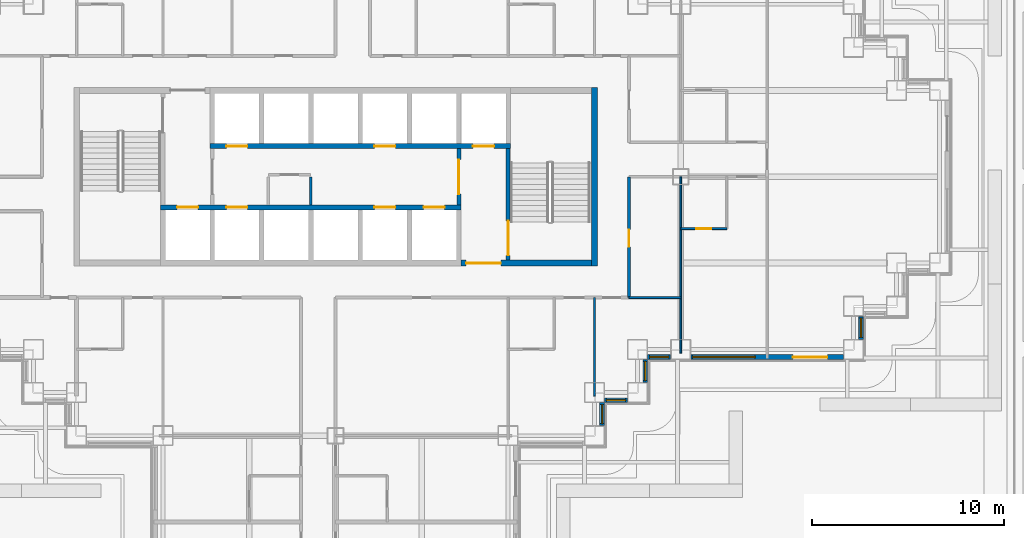
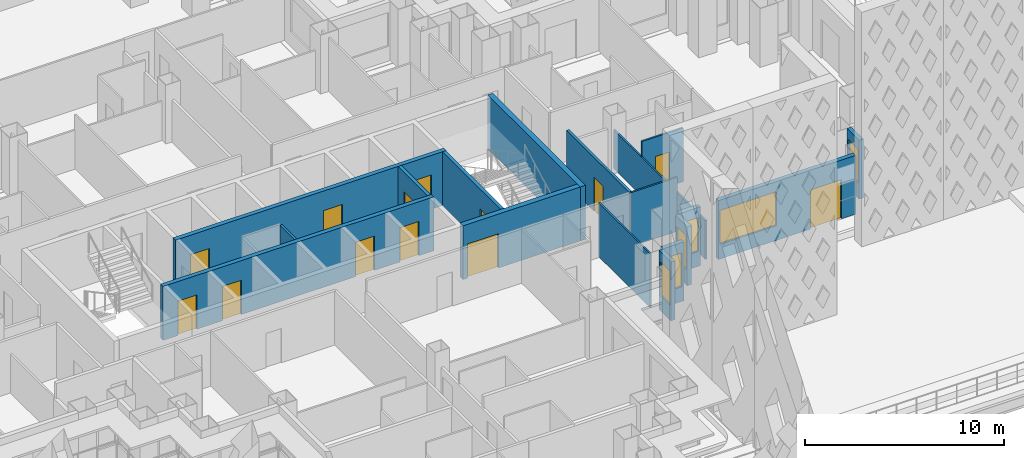
# One storey, part 6 of 26: 18 walls, 13 doors, 6 windows, 19 openings.
"""IFC4 building model written with IfcOpenShell, lengths in metres."""

from ifc_helpers import new_model, si_unit, direction, frame, frame_2d, origin, place, context, subcontext, project, spatial, rectangle, extrude, material, layer, layer_set, type_object, element, fill, save


model = new_model("IFC4")

# Units and contexts
model_context = context("Model", 3, precision=1e-05, world=origin(), true_north=direction((0.0, 1.0)))
body_context = subcontext(model_context, "Body", "Model", "MODEL_VIEW")
ifc_project = project(units=[si_unit("LENGTHUNIT", "METRE"), si_unit("AREAUNIT", "SQUARE_METRE"), si_unit("VOLUMEUNIT", "CUBIC_METRE"), si_unit("PLANEANGLEUNIT", "RADIAN"), si_unit("MASSUNIT", "GRAM", prefix="KILO")], contexts=[model_context])

# Site, building, storey
site_placement = place(None, origin())
site = spatial("IfcSite", under=ifc_project, at=site_placement, CompositionType="ELEMENT")
building_placement = place(site_placement, origin())
building = spatial("IfcBuilding", under=site, at=building_placement, Name="Caravel Reach Hotel and Residences", CompositionType="ELEMENT")
storey_placement = place(building_placement, frame((0.0, 0.0, 33.60009765625)))
storey = spatial("IfcBuildingStorey", under=building, at=storey_placement, Name="L06", CompositionType="ELEMENT", Elevation=33.60009765625)

# Wall, opening, door
ifc_material_1 = material(Name="Gypsum board on steel stud", Category="steel")
ifc_layer_1 = layer(ifc_material_1, 0.10009765625)
ifc_layer_set_1 = layer_set([ifc_layer_1], Name="Bathroom pod wall 100 mm")
wall_type_1 = type_object("IfcWallType", Name="Bathroom pod wall 100 mm", PredefinedType="PARTITIONING", material=ifc_layer_set_1)
wall_1_placement = place(storey_placement, frame((49.5, 24.300048828125, 0.0), z_axis=(0.0, 0.0, 1.0), x_axis=(1.0, 0.0, 0.0)))
wall_1 = element("IfcWall", 1, at=wall_1_placement, inside=storey, type_object=wall_type_1, Name="L06 wall w085", PredefinedType="PARTITIONING", context=body_context, shape_type="SweptSolid", body=[
    extrude(rectangle(XDim=2.39990234375, YDim=0.10009765625, at=frame_2d((1.199951171875, 0.0))), origin(), (0.0, 0.0, 1.0), 3.2998046875),
])
opening_1_placement = place(wall_1_placement, frame((0.800048828125, 0.0, 0.0)))
opening_1 = element("IfcOpeningElement", 2, at=opening_1_placement, cuts=wall_1, Name="Opening D06-022", PredefinedType="OPENING", context=body_context, shape_type="SweptSolid", body=[
    extrude(rectangle(XDim=0.800048828125, YDim=2.10009765625, at=frame_2d((0.39990234375, 1.050048828125))), frame((0.0, 0.06005859375, 0.0), z_axis=(0.0, -1.0, 0.0), x_axis=(1.0, 0.0, 0.0)), (0.0, 0.0, 1.0), 0.1201171875),
])
ifc_material_2 = material(Name="Timber and steel door leaf", Category="steel")
door_type_1 = type_object("IfcDoorType", Name="Bathroom door 800 x 2100", OperationType="SINGLE_SWING_LEFT", PredefinedType="DOOR", material=ifc_material_2)
door_1_placement = place(opening_1_placement, origin())
door_1 = element("IfcDoor", 3, at=door_1_placement, inside=storey, type_object=door_type_1, Name="door D06-022", OperationType="SINGLE_SWING_LEFT", OverallHeight=2.10009765625, OverallWidth=0.800048828125, PredefinedType="DOOR", context=body_context, shape_type="SweptSolid", body=[
    extrude(rectangle(XDim=0.800048828125, YDim=2.10009765625, at=frame_2d((0.39990234375, 1.050048828125))), frame((0.0, 0.02490234375, 0.0), z_axis=(0.0, -1.0, 0.0), x_axis=(1.0, 0.0, 0.0)), (0.0, 0.0, 1.0), 0.050048828125),
])
fill(opening_1, door_1)

ifc_material_3 = material(Name="Concrete C60", Category="concrete")
ifc_layer_2 = layer(ifc_material_3, 0.300048828125)
ifc_layer_set_2 = layer_set([ifc_layer_2], Name="Core wall 300 mm EI 120")
wall_type_2 = type_object("IfcWallType", Name="Core wall 300 mm EI 120", PredefinedType="SHEAR", material=ifc_layer_set_2)
wall_2_placement = place(storey_placement, frame((38.053466796875, 22.5, 0.0), z_axis=(0.0, 0.0, 1.0), x_axis=(1.0, 0.0, 0.0)))
wall_2 = element("IfcWall", 4, at=wall_2_placement, inside=storey, type_object=wall_type_2, Name="L06 core wall S2", PredefinedType="SHEAR", context=body_context, shape_type="SweptSolid", body=[
    extrude(rectangle(XDim=6.796630859375, YDim=0.300048828125, at=frame_2d((3.3984375, 0.0))), origin(), (0.0, 0.0, 1.0), 3.2998046875),
])
opening_2_placement = place(wall_2_placement, frame((0.2607421875, 0.0, 0.0)))
opening_2 = element("IfcOpeningElement", 5, at=opening_2_placement, cuts=wall_2, Name="Opening D06-014", PredefinedType="OPENING", context=body_context, shape_type="SweptSolid", body=[
    extrude(rectangle(XDim=1.800048828125, YDim=2.10009765625, at=frame_2d((0.89990234375, 1.050048828125))), frame((0.0, 0.159912109375, 0.0), z_axis=(0.0, -1.0, 0.0), x_axis=(1.0, 0.0, 0.0)), (0.0, 0.0, 1.0), 0.320068359375),
])
ifc_material_4 = material(Name="Steel fire door leaf", Category="steel")
door_type_2 = type_object("IfcDoorType", Name="Fire lobby door pair 1800 x 2100 EI 90", OperationType="DOUBLE_DOOR_SINGLE_SWING", PredefinedType="DOOR", material=ifc_material_4)
door_2_placement = place(opening_2_placement, origin())
door_2 = element("IfcDoor", 6, at=door_2_placement, inside=storey, type_object=door_type_2, Name="lobby S door pair to corridor", OperationType="DOUBLE_DOOR_SINGLE_SWING", OverallHeight=2.10009765625, OverallWidth=1.800048828125, PredefinedType="DOOR", context=body_context, shape_type="SweptSolid", body=[
    extrude(rectangle(XDim=1.800048828125, YDim=2.10009765625, at=frame_2d((0.89990234375, 1.050048828125))), frame((0.0, 0.02490234375, 0.0), z_axis=(0.0, -1.0, 0.0), x_axis=(1.0, 0.0, 0.0)), (0.0, 0.0, 1.0), 0.050048828125),
])
fill(opening_2, door_2)

# Wall
wall_3_placement = place(storey_placement, frame((45.0, 22.35009765625, 0.0), z_axis=(0.0, 0.0, 1.0), x_axis=(0.0, 1.0, 0.0)))
element("IfcWall", 7, at=wall_3_placement, inside=storey, type_object=wall_type_2, Name="L06 core wall E", PredefinedType="SHEAR", context=body_context, shape_type="SweptSolid", body=[
    extrude(rectangle(XDim=9.2998046875, YDim=0.300048828125, at=frame_2d((4.64990234375, 0.0))), origin(), (0.0, 0.0, 1.0), 3.2998046875),
])

# Wall, opening, door
ifc_material_5 = material(Name="Gypsum board on steel stud, fire-rated", Category="steel")
ifc_layer_3 = layer(ifc_material_5, 0.14990234375)
ifc_layer_set_3 = layer_set([ifc_layer_3], Name="Corridor wall 150 mm EI 60")
wall_type_3 = type_object("IfcWallType", Name="Corridor wall 150 mm EI 60", PredefinedType="PARTITIONING", material=ifc_layer_set_3)
wall_4_placement = place(storey_placement, frame((46.800048828125, 20.699951171875, 0.0), z_axis=(0.0, 0.0, 1.0), x_axis=(0.0, 1.0, 0.0)))
wall_4 = element("IfcWall", 8, at=wall_4_placement, inside=storey, type_object=wall_type_3, Name="L06 wall w040", PredefinedType="PARTITIONING", context=body_context, shape_type="SweptSolid", body=[
    extrude(rectangle(XDim=6.300048828125, YDim=0.14990234375, at=frame_2d((3.14990234375, 0.0))), origin(), (0.0, 0.0, 1.0), 3.2998046875),
])
opening_3_placement = place(wall_4_placement, frame((2.64990234375, 0.0, 0.0)))
opening_3 = element("IfcOpeningElement", 9, at=opening_3_placement, cuts=wall_4, Name="Opening D06-063", PredefinedType="OPENING", context=body_context, shape_type="SweptSolid", body=[
    extrude(rectangle(XDim=0.89990234375, YDim=2.10009765625, at=frame_2d((0.449951171875, 1.050048828125))), frame((0.0, 0.0849609375, 0.0), z_axis=(0.0, -1.0, 0.0), x_axis=(1.0, 0.0, 0.0)), (0.0, 0.0, 1.0), 0.169921875),
])
ifc_material_6 = material(Name="Timber and steel door leaf", Category="steel")
door_type_3 = type_object("IfcDoorType", Name="Door 900 x 2100 timber", OperationType="SINGLE_SWING_LEFT", PredefinedType="DOOR", material=ifc_material_6)
door_3_placement = place(opening_3_placement, origin())
door_3 = element("IfcDoor", 10, at=door_3_placement, inside=storey, type_object=door_type_3, Name="door D06-063", OperationType="SINGLE_SWING_RIGHT", OverallHeight=2.10009765625, OverallWidth=0.89990234375, PredefinedType="DOOR", context=body_context, shape_type="SweptSolid", body=[
    extrude(rectangle(XDim=0.89990234375, YDim=2.10009765625, at=frame_2d((0.449951171875, 1.050048828125))), frame((0.0, 0.02490234375, 0.0), z_axis=(0.0, -1.0, 0.0), x_axis=(1.0, 0.0, 0.0)), (0.0, 0.0, 1.0), 0.050048828125),
])
fill(opening_3, door_3)

# Wall, opening, window
ifc_material_7 = material(Name="Insulated rainscreen wall, aluminium cladding", Category="aluminium")
ifc_layer_4 = layer(ifc_material_7, 0.25)
ifc_layer_set_4 = layer_set([ifc_layer_4], Name="EW1 Tower rainscreen wall")
wall_type_4 = type_object("IfcWallType", Name="EW1 Tower rainscreen wall", PredefinedType="SOLIDWALL", material=ifc_layer_set_4)
wall_5_placement = place(storey_placement, frame((45.39990234375, 14.02490234375, 0.0), z_axis=(0.0, 0.0, 1.0), x_axis=(0.0, 1.0, 0.0)))
wall_5 = element("IfcWall", 11, at=wall_5_placement, inside=storey, type_object=wall_type_4, Name="External wall L06 E12.1", PredefinedType="SOLIDWALL", context=body_context, shape_type="SweptSolid", body=[
    extrude(rectangle(XDim=1.2001953125, YDim=0.25, at=frame_2d((0.60009765625, 0.0))), origin(), (0.0, 0.0, 1.0), 3.599853515625),
])
opening_4_placement = place(wall_5_placement, frame((0.10009765625, 0.0, 0.89990234375)))
opening_4 = element("IfcOpeningElement", 12, at=opening_4_placement, cuts=wall_5, Name="Opening WN1", PredefinedType="OPENING", context=body_context, shape_type="SweptSolid", body=[
    extrude(rectangle(XDim=1.0, YDim=2.080078125, at=frame_2d((0.5, 1.0400390625))), frame((0.0, 0.135009765625, 0.0), z_axis=(0.0, -1.0, 0.0), x_axis=(1.0, 0.0, 0.0)), (0.0, 0.0, 1.0), 0.27001953125),
])
ifc_material_8 = material(Name="Dark low-e glazing in black aluminium frame", Category="aluminium")
window_type_1 = type_object("IfcWindowType", Name="Hotel suite corner window 1000 x 2080", PartitioningType="SINGLE_PANEL", PredefinedType="WINDOW", material=ifc_material_8)
window_1_placement = place(opening_4_placement, origin())
window_1 = element("IfcWindow", 13, at=window_1_placement, inside=storey, type_object=window_type_1, Name="Window L06 E12.1.1", OverallHeight=2.080078125, OverallWidth=1.0, PartitioningType="SINGLE_PANEL", PredefinedType="WINDOW", context=body_context, shape_type="SweptSolid", body=[
    extrude(rectangle(XDim=1.0, YDim=2.080078125, at=frame_2d((0.5, 1.0400390625))), frame((0.0, 0.030029296875, 0.0), z_axis=(0.0, -1.0, 0.0), x_axis=(1.0, 0.0, 0.0)), (0.0, 0.0, 1.0), 0.06005859375),
])
fill(opening_4, window_1)

wall_6_placement = place(storey_placement, frame((45.52490234375, 15.35009765625, 0.0), z_axis=(0.0, 0.0, 1.0), x_axis=(1.0, 0.0, 0.0)))
wall_6 = element("IfcWall", 14, at=wall_6_placement, inside=storey, type_object=wall_type_4, Name="External wall L06 S13.1", PredefinedType="SOLIDWALL", context=body_context, shape_type="SweptSolid", body=[
    extrude(rectangle(XDim=1.2001953125, YDim=0.25, at=frame_2d((0.60009765625, 0.0))), origin(), (0.0, 0.0, 1.0), 3.599853515625),
])
opening_5_placement = place(wall_6_placement, frame((0.10009765625, 0.0, 0.89990234375)))
opening_5 = element("IfcOpeningElement", 15, at=opening_5_placement, cuts=wall_6, Name="Opening WN1", PredefinedType="OPENING", context=body_context, shape_type="SweptSolid", body=[
    extrude(rectangle(XDim=1.0, YDim=2.080078125, at=frame_2d((0.5, 1.0400390625))), frame((0.0, 0.135009765625, 0.0), z_axis=(0.0, -1.0, 0.0), x_axis=(1.0, 0.0, 0.0)), (0.0, 0.0, 1.0), 0.27001953125),
])
window_2_placement = place(opening_5_placement, origin())
window_2 = element("IfcWindow", 16, at=window_2_placement, inside=storey, type_object=window_type_1, Name="Window L06 S13.1.1", OverallHeight=2.080078125, OverallWidth=1.0, PartitioningType="SINGLE_PANEL", PredefinedType="WINDOW", context=body_context, shape_type="SweptSolid", body=[
    extrude(rectangle(XDim=1.0, YDim=2.080078125, at=frame_2d((0.5, 1.0400390625))), frame((0.0, 0.030029296875, 0.0), z_axis=(0.0, -1.0, 0.0), x_axis=(1.0, 0.0, 0.0)), (0.0, 0.0, 1.0), 0.06005859375),
])
fill(opening_5, window_2)

wall_7_placement = place(storey_placement, frame((47.64990234375, 16.27490234375, 0.0), z_axis=(0.0, 0.0, 1.0), x_axis=(0.0, 1.0, 0.0)))
wall_7 = element("IfcWall", 17, at=wall_7_placement, inside=storey, type_object=wall_type_4, Name="External wall L06 E14.1", PredefinedType="SOLIDWALL", context=body_context, shape_type="SweptSolid", body=[
    extrude(rectangle(XDim=1.2001953125, YDim=0.25, at=frame_2d((0.60009765625, 0.0))), origin(), (0.0, 0.0, 1.0), 3.599853515625),
])
opening_6_placement = place(wall_7_placement, frame((0.10009765625, 0.0, 0.89990234375)))
opening_6 = element("IfcOpeningElement", 18, at=opening_6_placement, cuts=wall_7, Name="Opening WN1", PredefinedType="OPENING", context=body_context, shape_type="SweptSolid", body=[
    extrude(rectangle(XDim=1.0, YDim=2.080078125, at=frame_2d((0.5, 1.0400390625))), frame((0.0, 0.135009765625, 0.0), z_axis=(0.0, -1.0, 0.0), x_axis=(1.0, 0.0, 0.0)), (0.0, 0.0, 1.0), 0.27001953125),
])
window_3_placement = place(opening_6_placement, origin())
window_3 = element("IfcWindow", 19, at=window_3_placement, inside=storey, type_object=window_type_1, Name="Window L06 E14.1.1", OverallHeight=2.080078125, OverallWidth=1.0, PartitioningType="SINGLE_PANEL", PredefinedType="WINDOW", context=body_context, shape_type="SweptSolid", body=[
    extrude(rectangle(XDim=1.0, YDim=2.080078125, at=frame_2d((0.5, 1.0400390625))), frame((0.0, 0.030029296875, 0.0), z_axis=(0.0, -1.0, 0.0), x_axis=(1.0, 0.0, 0.0)), (0.0, 0.0, 1.0), 0.06005859375),
])
fill(opening_6, window_3)

wall_8_placement = place(storey_placement, frame((47.77490234375, 17.60009765625, 0.0), z_axis=(0.0, 0.0, 1.0), x_axis=(1.0, 0.0, 0.0)))
wall_8 = element("IfcWall", 20, at=wall_8_placement, inside=storey, type_object=wall_type_4, Name="External wall L06 S15.1", PredefinedType="SOLIDWALL", context=body_context, shape_type="SweptSolid", body=[
    extrude(rectangle(XDim=1.2001953125, YDim=0.25, at=frame_2d((0.60009765625, 0.0))), origin(), (0.0, 0.0, 1.0), 3.599853515625),
])
opening_7_placement = place(wall_8_placement, frame((0.10009765625, 0.0, 0.89990234375)))
opening_7 = element("IfcOpeningElement", 21, at=opening_7_placement, cuts=wall_8, Name="Opening WN1", PredefinedType="OPENING", context=body_context, shape_type="SweptSolid", body=[
    extrude(rectangle(XDim=1.0, YDim=2.080078125, at=frame_2d((0.5, 1.0400390625))), frame((0.0, 0.135009765625, 0.0), z_axis=(0.0, -1.0, 0.0), x_axis=(1.0, 0.0, 0.0)), (0.0, 0.0, 1.0), 0.27001953125),
])
window_4_placement = place(opening_7_placement, origin())
window_4 = element("IfcWindow", 22, at=window_4_placement, inside=storey, type_object=window_type_1, Name="Window L06 S15.1.1", OverallHeight=2.080078125, OverallWidth=1.0, PartitioningType="SINGLE_PANEL", PredefinedType="WINDOW", context=body_context, shape_type="SweptSolid", body=[
    extrude(rectangle(XDim=1.0, YDim=2.080078125, at=frame_2d((0.5, 1.0400390625))), frame((0.0, 0.030029296875, 0.0), z_axis=(0.0, -1.0, 0.0), x_axis=(1.0, 0.0, 0.0)), (0.0, 0.0, 1.0), 0.06005859375),
])
fill(opening_7, window_4)

# Wall, openings, window, door
wall_9_placement = place(storey_placement, frame((50.02490234375, 17.60009765625, 0.0), z_axis=(0.0, 0.0, 1.0), x_axis=(1.0, 0.0, 0.0)))
wall_9 = element("IfcWall", 23, at=wall_9_placement, inside=storey, type_object=wall_type_4, Name="External wall L06 S15.2", PredefinedType="SOLIDWALL", context=body_context, shape_type="SweptSolid", body=[
    extrude(rectangle(XDim=7.9501953125, YDim=0.25, at=frame_2d((3.97509765625, 0.0))), origin(), (0.0, 0.0, 1.0), 3.599853515625),
])
opening_8_placement = place(wall_9_placement, frame((0.10009765625, 0.0, 0.89990234375)))
opening_8 = element("IfcOpeningElement", 24, at=opening_8_placement, cuts=wall_9, Name="Opening WN2", PredefinedType="OPENING", context=body_context, shape_type="SweptSolid", body=[
    extrude(rectangle(XDim=3.25, YDim=2.080078125, at=frame_2d((1.625, 1.0400390625))), frame((0.0, 0.135009765625, 0.0), z_axis=(0.0, -1.0, 0.0), x_axis=(1.0, 0.0, 0.0)), (0.0, 0.0, 1.0), 0.27001953125),
])
opening_9_placement = place(wall_9_placement, frame((5.324951171875, 0.0, 0.0)))
opening_9 = element("IfcOpeningElement", 25, at=opening_9_placement, cuts=wall_9, Name="Opening D06-802", PredefinedType="OPENING", context=body_context, shape_type="SweptSolid", body=[
    extrude(rectangle(XDim=1.800048828125, YDim=2.39990234375, at=frame_2d((0.89990234375, 1.199951171875))), frame((0.0, 0.135009765625, 0.0), z_axis=(0.0, -1.0, 0.0), x_axis=(1.0, 0.0, 0.0)), (0.0, 0.0, 1.0), 0.27001953125),
])
ifc_material_9 = material(Name="Dark low-e glazing in black aluminium frame", Category="aluminium")
window_type_2 = type_object("IfcWindowType", Name="Hotel guest room window 3250 x 2080", PartitioningType="SINGLE_PANEL", PredefinedType="WINDOW", material=ifc_material_9)
window_5_placement = place(opening_8_placement, origin())
window_5 = element("IfcWindow", 26, at=window_5_placement, inside=storey, type_object=window_type_2, Name="Window L06 S15.2.1", OverallHeight=2.080078125, OverallWidth=3.25, PartitioningType="SINGLE_PANEL", PredefinedType="WINDOW", context=body_context, shape_type="SweptSolid", body=[
    extrude(rectangle(XDim=3.25, YDim=2.080078125, at=frame_2d((1.625, 1.0400390625))), frame((0.0, 0.030029296875, 0.0), z_axis=(0.0, -1.0, 0.0), x_axis=(1.0, 0.0, 0.0)), (0.0, 0.0, 1.0), 0.06005859375),
])
fill(opening_8, window_5)
ifc_material_10 = material(Name="Dark glazed door in black aluminium frame", Category="aluminium")
door_type_4 = type_object("IfcDoorType", Name="Terrace door 1800 x 2400", OperationType="DOUBLE_DOOR_SINGLE_SWING", PredefinedType="DOOR", material=ifc_material_10)
door_4_placement = place(opening_9_placement, origin())
door_4 = element("IfcDoor", 27, at=door_4_placement, inside=storey, type_object=door_type_4, Name="Door D06-802", OperationType="DOUBLE_DOOR_SINGLE_SWING", OverallHeight=2.39990234375, OverallWidth=1.800048828125, PredefinedType="DOOR", context=body_context, shape_type="SweptSolid", body=[
    extrude(rectangle(XDim=1.800048828125, YDim=2.39990234375, at=frame_2d((0.89990234375, 1.199951171875))), frame((0.0, 0.02490234375, 0.0), z_axis=(0.0, -1.0, 0.0), x_axis=(1.0, 0.0, 0.0)), (0.0, 0.0, 1.0), 0.050048828125),
])
fill(opening_9, door_4)

# Wall, opening, window
wall_10_placement = place(storey_placement, frame((58.89990234375, 18.52490234375, 0.0), z_axis=(0.0, 0.0, 1.0), x_axis=(0.0, 1.0, 0.0)))
wall_10 = element("IfcWall", 28, at=wall_10_placement, inside=storey, type_object=wall_type_4, Name="External wall L06 E16.1", PredefinedType="SOLIDWALL", context=body_context, shape_type="SweptSolid", body=[
    extrude(rectangle(XDim=1.2001953125, YDim=0.25, at=frame_2d((0.60009765625, 0.0))), origin(), (0.0, 0.0, 1.0), 3.599853515625),
])
opening_10_placement = place(wall_10_placement, frame((0.10009765625, 0.0, 0.89990234375)))
opening_10 = element("IfcOpeningElement", 29, at=opening_10_placement, cuts=wall_10, Name="Opening WN1", PredefinedType="OPENING", context=body_context, shape_type="SweptSolid", body=[
    extrude(rectangle(XDim=1.0, YDim=2.080078125, at=frame_2d((0.5, 1.0400390625))), frame((0.0, 0.135009765625, 0.0), z_axis=(0.0, -1.0, 0.0), x_axis=(1.0, 0.0, 0.0)), (0.0, 0.0, 1.0), 0.27001953125),
])
window_6_placement = place(opening_10_placement, origin())
window_6 = element("IfcWindow", 30, at=window_6_placement, inside=storey, type_object=window_type_1, Name="Window L06 E16.1.1", OverallHeight=2.080078125, OverallWidth=1.0, PartitioningType="SINGLE_PANEL", PredefinedType="WINDOW", context=body_context, shape_type="SweptSolid", body=[
    extrude(rectangle(XDim=1.0, YDim=2.080078125, at=frame_2d((0.5, 1.0400390625))), frame((0.0, 0.030029296875, 0.0), z_axis=(0.0, -1.0, 0.0), x_axis=(1.0, 0.0, 0.0)), (0.0, 0.0, 1.0), 0.06005859375),
])
fill(opening_10, window_6)

# Wall, opening, door
ifc_material_11 = material(Name="Autoclaved aerated block wall")
ifc_layer_5 = layer(ifc_material_11, 0.199951171875)
ifc_layer_set_5 = layer_set([ifc_layer_5], Name="Fire lobby wall 200 mm EI 120")
wall_type_5 = type_object("IfcWallType", Name="Fire lobby wall 200 mm EI 120", PredefinedType="PARTITIONING", material=ifc_layer_set_5)
wall_11_placement = place(storey_placement, frame((37.928466796875, 25.52490234375, 0.0), z_axis=(0.0, 0.0, 1.0), x_axis=(0.0, 1.0, 0.0)))
wall_11 = element("IfcWall", 31, at=wall_11_placement, inside=storey, type_object=wall_type_5, Name="L06 lobby E wall", PredefinedType="PARTITIONING", context=body_context, shape_type="SweptSolid", body=[
    extrude(rectangle(XDim=2.9501953125, YDim=0.199951171875, at=frame_2d((1.47509765625, 0.0))), origin(), (0.0, 0.0, 1.0), 3.2998046875),
])
opening_11_placement = place(wall_11_placement, frame((0.574951171875, 0.0, 0.0)))
opening_11 = element("IfcOpeningElement", 32, at=opening_11_placement, cuts=wall_11, Name="Opening D06-012", PredefinedType="OPENING", context=body_context, shape_type="SweptSolid", body=[
    extrude(rectangle(XDim=1.800048828125, YDim=2.10009765625, at=frame_2d((0.89990234375, 1.050048828125))), frame((0.0, 0.10986328125, 0.0), z_axis=(0.0, -1.0, 0.0), x_axis=(1.0, 0.0, 0.0)), (0.0, 0.0, 1.0), 0.219970703125),
])
door_5_placement = place(opening_11_placement, origin())
door_5 = element("IfcDoor", 33, at=door_5_placement, inside=storey, type_object=door_type_2, Name="lobby E door pair", OperationType="DOUBLE_DOOR_SINGLE_SWING", OverallHeight=2.10009765625, OverallWidth=1.800048828125, PredefinedType="DOOR", context=body_context, shape_type="SweptSolid", body=[
    extrude(rectangle(XDim=1.800048828125, YDim=2.10009765625, at=frame_2d((0.89990234375, 1.050048828125))), frame((0.0, 0.02490234375, 0.0), z_axis=(0.0, -1.0, 0.0), x_axis=(1.0, 0.0, 0.0)), (0.0, 0.0, 1.0), 0.050048828125),
])
fill(opening_11, door_5)

# Walls
ifc_material_12 = material(Name="Gypsum board on steel stud", Category="steel")
ifc_layer_6 = layer(ifc_material_12, 0.10009765625)
ifc_layer_set_6 = layer_set([ifc_layer_6], Name="Partition 100 mm")
wall_type_6 = type_object("IfcWallType", Name="Partition 100 mm", PredefinedType="PARTITIONING", material=ifc_layer_set_6)
wall_12_placement = place(storey_placement, frame((46.800048828125, 20.699951171875, 0.0), z_axis=(0.0, 0.0, 1.0), x_axis=(1.0, 0.0, 0.0)))
element("IfcWall", 34, at=wall_12_placement, inside=storey, type_object=wall_type_6, Name="L06 wall w044", PredefinedType="PARTITIONING", context=body_context, shape_type="SweptSolid", body=[
    extrude(rectangle(XDim=2.699951171875, YDim=0.10009765625, at=frame_2d((1.35009765625, 0.0))), origin(), (0.0, 0.0, 1.0), 3.2998046875),
])
wall_13_placement = place(storey_placement, frame((45.0, 15.56005859375, 0.0), z_axis=(0.0, 0.0, 1.0), x_axis=(0.0, 1.0, 0.0)))
element("IfcWall", 35, at=wall_13_placement, inside=storey, type_object=wall_type_6, Name="L06 wall w064", PredefinedType="PARTITIONING", context=body_context, shape_type="SweptSolid", body=[
    extrude(rectangle(XDim=5.139892578125, YDim=0.10009765625, at=frame_2d((2.56982421875, 0.0))), origin(), (0.0, 0.0, 1.0), 3.2998046875),
])
wall_14_placement = place(storey_placement, frame((49.5, 17.81005859375, 0.0), z_axis=(0.0, 0.0, 1.0), x_axis=(0.0, 1.0, 0.0)))
element("IfcWall", 36, at=wall_14_placement, inside=storey, type_object=wall_type_6, Name="L06 wall w068", PredefinedType="PARTITIONING", context=body_context, shape_type="SweptSolid", body=[
    extrude(rectangle(XDim=9.18994140625, YDim=0.10009765625, at=frame_2d((4.594970703125, 0.0))), origin(), (0.0, 0.0, 1.0), 2.3798828125),
])
ifc_material_13 = material(Name="Autoclaved aerated block wall")
ifc_layer_7 = layer(ifc_material_13, 0.125)
ifc_layer_set_7 = layer_set([ifc_layer_7], Name="Riser wall 125 mm EI 60")
wall_type_7 = type_object("IfcWallType", Name="Riser wall 125 mm EI 60", PredefinedType="PARTITIONING", material=ifc_layer_set_7)
wall_15_placement = place(storey_placement, frame((30.199951171875, 25.52490234375, 0.0), z_axis=(0.0, 0.0, 1.0), x_axis=(0.0, 1.0, 0.0)))
element("IfcWall", 37, at=wall_15_placement, inside=storey, type_object=wall_type_7, Name="L06 service room partition S1", PredefinedType="PARTITIONING", context=body_context, shape_type="SweptSolid", body=[
    extrude(rectangle(XDim=1.47509765625, YDim=0.125, at=frame_2d((0.737548828125, 0.0))), origin(), (0.0, 0.0, 1.0), 3.2998046875),
])

# Wall, openings, doors
ifc_material_14 = material(Name="Concrete C60", Category="concrete")
ifc_layer_8 = layer(ifc_material_14, 0.25)
ifc_layer_set_8 = layer_set([ifc_layer_8], Name="Shaft wall 250 mm EI 120")
wall_type_8 = type_object("IfcWallType", Name="Shaft wall 250 mm EI 120", PredefinedType="SHEAR", material=ifc_layer_set_8)
wall_16_placement = place(storey_placement, frame((22.375, 25.39990234375, 0.0), z_axis=(0.0, 0.0, 1.0), x_axis=(1.0, 0.0, 0.0)))
wall_16 = element("IfcWall", 38, at=wall_16_placement, inside=storey, type_object=wall_type_8, Name="L06 lobby wall S1", PredefinedType="SHEAR", context=body_context, shape_type="SweptSolid", body=[
    extrude(rectangle(XDim=15.678466796875, YDim=0.25, at=frame_2d((7.83935546875, 0.0))), origin(), (0.0, 0.0, 1.0), 3.2998046875),
])
opening_12_placement = place(wall_16_placement, frame((3.43212890625, 0.0, 0.0)))
opening_12 = element("IfcOpeningElement", 39, at=opening_12_placement, cuts=wall_16, Name="Opening D06-001", PredefinedType="OPENING", context=body_context, shape_type="SweptSolid", body=[
    extrude(rectangle(XDim=1.10009765625, YDim=2.10009765625, at=frame_2d((0.550048828125, 1.050048828125))), frame((0.0, 0.135009765625, 0.0), z_axis=(0.0, -1.0, 0.0), x_axis=(1.0, 0.0, 0.0)), (0.0, 0.0, 1.0), 0.27001953125),
])
opening_13_placement = place(wall_16_placement, frame((11.146484375, 0.0, 0.0)))
opening_13 = element("IfcOpeningElement", 40, at=opening_13_placement, cuts=wall_16, Name="Opening D06-002", PredefinedType="OPENING", context=body_context, shape_type="SweptSolid", body=[
    extrude(rectangle(XDim=1.10009765625, YDim=2.10009765625, at=frame_2d((0.550048828125, 1.050048828125))), frame((0.0, 0.135009765625, 0.0), z_axis=(0.0, -1.0, 0.0), x_axis=(1.0, 0.0, 0.0)), (0.0, 0.0, 1.0), 0.27001953125),
])
opening_14_placement = place(wall_16_placement, frame((13.718017578125, 0.0, 0.0)))
opening_14 = element("IfcOpeningElement", 41, at=opening_14_placement, cuts=wall_16, Name="Opening D06-003", PredefinedType="OPENING", context=body_context, shape_type="SweptSolid", body=[
    extrude(rectangle(XDim=1.10009765625, YDim=2.10009765625, at=frame_2d((0.550048828125, 1.050048828125))), frame((0.0, 0.135009765625, 0.0), z_axis=(0.0, -1.0, 0.0), x_axis=(1.0, 0.0, 0.0)), (0.0, 0.0, 1.0), 0.27001953125),
])
opening_15_placement = place(wall_16_placement, frame((0.860595703125, 0.0, 0.0)))
opening_15 = element("IfcOpeningElement", 42, at=opening_15_placement, cuts=wall_16, Name="Opening D06-006", PredefinedType="OPENING", context=body_context, shape_type="SweptSolid", body=[
    extrude(rectangle(XDim=1.10009765625, YDim=2.10009765625, at=frame_2d((0.550048828125, 1.050048828125))), frame((0.0, 0.135009765625, 0.0), z_axis=(0.0, -1.0, 0.0), x_axis=(1.0, 0.0, 0.0)), (0.0, 0.0, 1.0), 0.27001953125),
])
ifc_material_15 = material(Name="Stainless steel landing door", Category="steel")
door_type_5 = type_object("IfcDoorType", Name="Landing door LD 1100 x 2100 sliding", OperationType="DOUBLE_DOOR_SLIDING", PredefinedType="DOOR", material=ifc_material_15)
door_6_placement = place(opening_12_placement, origin())
door_6 = element("IfcDoor", 43, at=door_6_placement, inside=storey, type_object=door_type_5, Name="LP1 landing door", OperationType="DOUBLE_DOOR_SLIDING", OverallHeight=2.10009765625, OverallWidth=1.10009765625, PredefinedType="DOOR", context=body_context, shape_type="SweptSolid", body=[
    extrude(rectangle(XDim=1.10009765625, YDim=2.10009765625, at=frame_2d((0.550048828125, 1.050048828125))), frame((0.0, 0.02490234375, 0.0), z_axis=(0.0, -1.0, 0.0), x_axis=(1.0, 0.0, 0.0)), (0.0, 0.0, 1.0), 0.050048828125),
])
fill(opening_12, door_6)
door_7_placement = place(opening_13_placement, origin())
door_7 = element("IfcDoor", 44, at=door_7_placement, inside=storey, type_object=door_type_5, Name="LP2 landing door", OperationType="DOUBLE_DOOR_SLIDING", OverallHeight=2.10009765625, OverallWidth=1.10009765625, PredefinedType="DOOR", context=body_context, shape_type="SweptSolid", body=[
    extrude(rectangle(XDim=1.10009765625, YDim=2.10009765625, at=frame_2d((0.550048828125, 1.050048828125))), frame((0.0, 0.02490234375, 0.0), z_axis=(0.0, -1.0, 0.0), x_axis=(1.0, 0.0, 0.0)), (0.0, 0.0, 1.0), 0.050048828125),
])
fill(opening_13, door_7)
door_8_placement = place(opening_14_placement, origin())
door_8 = element("IfcDoor", 45, at=door_8_placement, inside=storey, type_object=door_type_5, Name="LP3 landing door", OperationType="DOUBLE_DOOR_SLIDING", OverallHeight=2.10009765625, OverallWidth=1.10009765625, PredefinedType="DOOR", context=body_context, shape_type="SweptSolid", body=[
    extrude(rectangle(XDim=1.10009765625, YDim=2.10009765625, at=frame_2d((0.550048828125, 1.050048828125))), frame((0.0, 0.02490234375, 0.0), z_axis=(0.0, -1.0, 0.0), x_axis=(1.0, 0.0, 0.0)), (0.0, 0.0, 1.0), 0.050048828125),
])
fill(opening_14, door_8)
door_9_placement = place(opening_15_placement, origin())
door_9 = element("IfcDoor", 46, at=door_9_placement, inside=storey, type_object=door_type_5, Name="FL1 landing door", OperationType="DOUBLE_DOOR_SLIDING", OverallHeight=2.10009765625, OverallWidth=1.10009765625, PredefinedType="DOOR", context=body_context, shape_type="SweptSolid", body=[
    extrude(rectangle(XDim=1.10009765625, YDim=2.10009765625, at=frame_2d((0.550048828125, 1.050048828125))), frame((0.0, 0.02490234375, 0.0), z_axis=(0.0, -1.0, 0.0), x_axis=(1.0, 0.0, 0.0)), (0.0, 0.0, 1.0), 0.050048828125),
])
fill(opening_15, door_9)

wall_17_placement = place(storey_placement, frame((24.946533203125, 28.60009765625, 0.0), z_axis=(0.0, 0.0, 1.0), x_axis=(1.0, 0.0, 0.0)))
wall_17 = element("IfcWall", 47, at=wall_17_placement, inside=storey, type_object=wall_type_8, Name="L06 lobby wall N1", PredefinedType="SHEAR", context=body_context, shape_type="SweptSolid", body=[
    extrude(rectangle(XDim=15.678466796875, YDim=0.25, at=frame_2d((7.83935546875, 0.0))), origin(), (0.0, 0.0, 1.0), 3.2998046875),
])
opening_16_placement = place(wall_17_placement, frame((0.860595703125, 0.0, 0.0)))
opening_16 = element("IfcOpeningElement", 48, at=opening_16_placement, cuts=wall_17, Name="Opening D06-004", PredefinedType="OPENING", context=body_context, shape_type="SweptSolid", body=[
    extrude(rectangle(XDim=1.10009765625, YDim=2.10009765625, at=frame_2d((0.550048828125, 1.050048828125))), frame((0.0, 0.135009765625, 0.0), z_axis=(0.0, -1.0, 0.0), x_axis=(1.0, 0.0, 0.0)), (0.0, 0.0, 1.0), 0.27001953125),
])
opening_17_placement = place(wall_17_placement, frame((8.574951171875, 0.0, 0.0)))
opening_17 = element("IfcOpeningElement", 49, at=opening_17_placement, cuts=wall_17, Name="Opening D06-005", PredefinedType="OPENING", context=body_context, shape_type="SweptSolid", body=[
    extrude(rectangle(XDim=1.10009765625, YDim=2.10009765625, at=frame_2d((0.550048828125, 1.050048828125))), frame((0.0, 0.135009765625, 0.0), z_axis=(0.0, -1.0, 0.0), x_axis=(1.0, 0.0, 0.0)), (0.0, 0.0, 1.0), 0.27001953125),
])
opening_18_placement = place(wall_17_placement, frame((13.718017578125, 0.0, 0.0)))
opening_18 = element("IfcOpeningElement", 50, at=opening_18_placement, cuts=wall_17, Name="Opening D06-007", PredefinedType="OPENING", context=body_context, shape_type="SweptSolid", body=[
    extrude(rectangle(XDim=1.10009765625, YDim=2.10009765625, at=frame_2d((0.550048828125, 1.050048828125))), frame((0.0, 0.135009765625, 0.0), z_axis=(0.0, -1.0, 0.0), x_axis=(1.0, 0.0, 0.0)), (0.0, 0.0, 1.0), 0.27001953125),
])
door_10_placement = place(opening_16_placement, origin())
door_10 = element("IfcDoor", 51, at=door_10_placement, inside=storey, type_object=door_type_5, Name="LP4 landing door", OperationType="DOUBLE_DOOR_SLIDING", OverallHeight=2.10009765625, OverallWidth=1.10009765625, PredefinedType="DOOR", context=body_context, shape_type="SweptSolid", body=[
    extrude(rectangle(XDim=1.10009765625, YDim=2.10009765625, at=frame_2d((0.550048828125, 1.050048828125))), frame((0.0, 0.02490234375, 0.0), z_axis=(0.0, -1.0, 0.0), x_axis=(1.0, 0.0, 0.0)), (0.0, 0.0, 1.0), 0.050048828125),
])
fill(opening_16, door_10)
door_11_placement = place(opening_17_placement, origin())
door_11 = element("IfcDoor", 52, at=door_11_placement, inside=storey, type_object=door_type_5, Name="LP5 landing door", OperationType="DOUBLE_DOOR_SLIDING", OverallHeight=2.10009765625, OverallWidth=1.10009765625, PredefinedType="DOOR", context=body_context, shape_type="SweptSolid", body=[
    extrude(rectangle(XDim=1.10009765625, YDim=2.10009765625, at=frame_2d((0.550048828125, 1.050048828125))), frame((0.0, 0.02490234375, 0.0), z_axis=(0.0, -1.0, 0.0), x_axis=(1.0, 0.0, 0.0)), (0.0, 0.0, 1.0), 0.050048828125),
])
fill(opening_17, door_11)
door_12_placement = place(opening_18_placement, origin())
door_12 = element("IfcDoor", 53, at=door_12_placement, inside=storey, type_object=door_type_5, Name="FL2 landing door", OperationType="DOUBLE_DOOR_SLIDING", OverallHeight=2.10009765625, OverallWidth=1.10009765625, PredefinedType="DOOR", context=body_context, shape_type="SweptSolid", body=[
    extrude(rectangle(XDim=1.10009765625, YDim=2.10009765625, at=frame_2d((0.550048828125, 1.050048828125))), frame((0.0, 0.02490234375, 0.0), z_axis=(0.0, -1.0, 0.0), x_axis=(1.0, 0.0, 0.0)), (0.0, 0.0, 1.0), 0.050048828125),
])
fill(opening_18, door_12)

# Wall, opening, door
ifc_material_16 = material(Name="Concrete C60", Category="concrete")
ifc_layer_9 = layer(ifc_material_16, 0.199951171875)
ifc_layer_set_9 = layer_set([ifc_layer_9], Name="Stair enclosure wall 200 mm EI 120")
wall_type_9 = type_object("IfcWallType", Name="Stair enclosure wall 200 mm EI 120", PredefinedType="SHEAR", material=ifc_layer_set_9)
wall_18_placement = place(storey_placement, frame((40.5, 22.64990234375, 0.0), z_axis=(0.0, 0.0, 1.0), x_axis=(0.0, 1.0, 0.0)))
wall_18 = element("IfcWall", 54, at=wall_18_placement, inside=storey, type_object=wall_type_9, Name="L06 stair B wall", PredefinedType="SHEAR", context=body_context, shape_type="SweptSolid", body=[
    extrude(rectangle(XDim=5.8251953125, YDim=0.199951171875, at=frame_2d((2.91259765625, 0.0))), origin(), (0.0, 0.0, 1.0), 3.2998046875),
])
opening_19_placement = place(wall_18_placement, frame((0.25, 0.0, 0.0)))
opening_19 = element("IfcOpeningElement", 55, at=opening_19_placement, cuts=wall_18, Name="Opening D06-010", PredefinedType="OPENING", context=body_context, shape_type="SweptSolid", body=[
    extrude(rectangle(XDim=1.800048828125, YDim=2.10009765625, at=frame_2d((0.89990234375, 1.050048828125))), frame((0.0, 0.10986328125, 0.0), z_axis=(0.0, -1.0, 0.0), x_axis=(1.0, 0.0, 0.0)), (0.0, 0.0, 1.0), 0.219970703125),
])
ifc_material_17 = material(Name="Steel fire door leaf", Category="steel")
door_type_6 = type_object("IfcDoorType", Name="Stair door pair 1800 x 2100 EI 90", OperationType="DOUBLE_DOOR_SINGLE_SWING", PredefinedType="DOOR", material=ifc_material_17)
door_13_placement = place(opening_19_placement, origin())
door_13 = element("IfcDoor", 56, at=door_13_placement, inside=storey, type_object=door_type_6, Name="stair B door pair", OperationType="DOUBLE_DOOR_SINGLE_SWING", OverallHeight=2.10009765625, OverallWidth=1.800048828125, PredefinedType="DOOR", context=body_context, shape_type="SweptSolid", body=[
    extrude(rectangle(XDim=1.800048828125, YDim=2.10009765625, at=frame_2d((0.89990234375, 1.050048828125))), frame((0.0, 0.02490234375, 0.0), z_axis=(0.0, -1.0, 0.0), x_axis=(1.0, 0.0, 0.0)), (0.0, 0.0, 1.0), 0.050048828125),
])
fill(opening_19, door_13)

save(model, "model.ifc")
